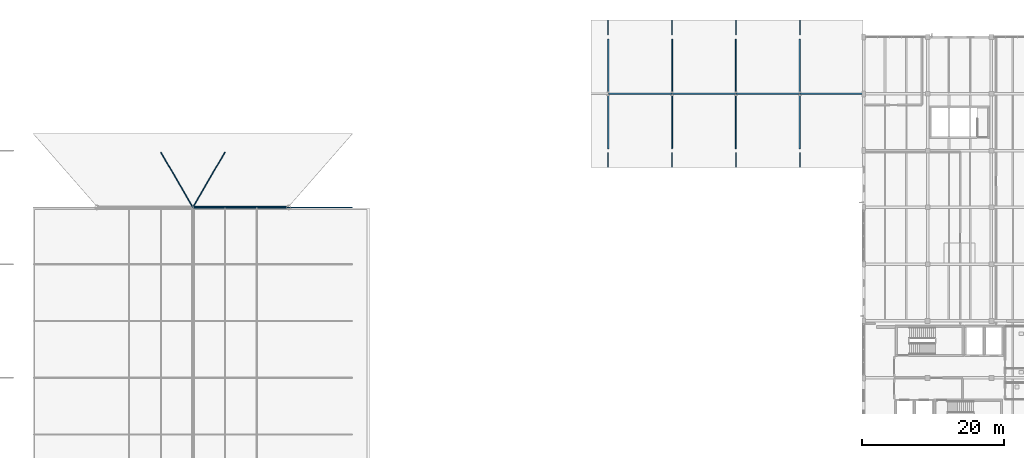
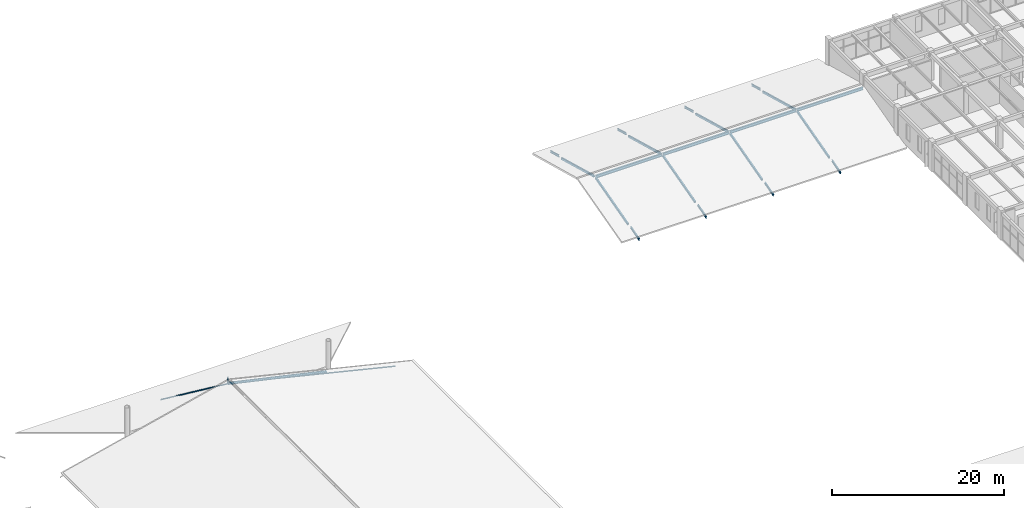
# One storey, part 13 of 71: 12 beams, 12 members.
"""IFC4 building model written with IfcOpenShell, lengths in metres."""

from ifc_helpers import new_model, si_unit, derived_unit, direction, frame, origin, origin_2d, place, context, subcontext, project, spatial, hollow_rectangle, hollow_circle, i_section, extrude, material, material_profile, profile_set, type_object, element, save


model = new_model("IFC4")

# Units and contexts
model_context = context("Model", 3, precision=1e-05, world=origin(), true_north=direction((0.0, 1.0)))
body_context = subcontext(model_context, "Body", "Model", "MODEL_VIEW")
ifc_project = project(units=[si_unit("LENGTHUNIT", "METRE"), si_unit("AREAUNIT", "SQUARE_METRE"), si_unit("VOLUMEUNIT", "CUBIC_METRE"), si_unit("PLANEANGLEUNIT", "RADIAN"), si_unit("MASSUNIT", "GRAM", prefix="KILO"), derived_unit("THERMALTRANSMITTANCEUNIT", [(si_unit("MASSUNIT", "GRAM", prefix="KILO"), 1), (si_unit("TIMEUNIT", "SECOND"), -3), (si_unit("THERMODYNAMICTEMPERATUREUNIT", "KELVIN"), -1)])], contexts=[model_context])

# Site, building, storey
site_placement = place(None, origin())
site = spatial("IfcSite", under=ifc_project, at=site_placement, CompositionType="ELEMENT")
building_placement = place(site_placement, origin())
building = spatial("IfcBuilding", under=site, at=building_placement, Name="Zhenchuan Archway Interchange", CompositionType="ELEMENT")
storey_placement = place(building_placement, frame((0.0, 0.0, 18.60009765625)))
storey = spatial("IfcBuildingStorey", under=building, at=storey_placement, Name="L04", CompositionType="ELEMENT", Elevation=18.60009765625)

# Beams
ifc_material_1 = material(Name="Steel Q355", Category="steel")
ifc_material_profile_1 = material_profile(ifc_material_1, i_section(OverallWidth=0.14990234375, OverallDepth=0.300048828125, WebThickness=0.006591796875, FlangeThickness=0.009033203125, FilletRadius=0.012939453125, at=origin_2d()), Name="HN 300x150")
ifc_profile_set_1 = profile_set([ifc_material_profile_1], Name="Steel Q355")
beam_type_1 = type_object("IfcBeamType", Name="BM_STL_EAVE_HN300", PredefinedType="BEAM", material=ifc_profile_set_1)
for number, where, z_axis, x_axis, name in (
    (1, (108.0, 87.699951171875, -0.2001953125), (0.0, -0.962251356687, -0.272162316557), (1.0, 0.0, 0.0), "Courtyard N-arm storm-eave bracket X108-S"),
    (2, (108.0, 104.300048828125, -0.2001953125), (0.0, 0.962251356687, -0.272162316557), (-1.0, 0.0, 0.0), "Courtyard N-arm storm-eave bracket X108-N"),
    (3, (117.0, 87.699951171875, -0.2001953125), (0.0, -0.962251356687, -0.272162316557), (1.0, 0.0, 0.0), "Courtyard N-arm storm-eave bracket X117-S"),
    (4, (117.0, 104.300048828125, -0.2001953125), (0.0, 0.962251356687, -0.272162316557), (-1.0, 0.0, 0.0), "Courtyard N-arm storm-eave bracket X117-N"),
    (5, (126.0, 87.699951171875, -0.2001953125), (0.0, -0.962251356687, -0.272162316557), (1.0, 0.0, 0.0), "Courtyard N-arm storm-eave bracket X126-S"),
    (6, (126.0, 104.300048828125, -0.2001953125), (0.0, 0.962251356687, -0.272162316557), (-1.0, 0.0, 0.0), "Courtyard N-arm storm-eave bracket X126-N"),
    (7, (135.0, 87.699951171875, -0.2001953125), (0.0, -0.962251356687, -0.272162316557), (1.0, 0.0, 0.0), "Courtyard N-arm storm-eave bracket X135-S"),
    (8, (135.0, 104.300048828125, -0.2001953125), (0.0, 0.962251356687, -0.272162316557), (-1.0, 0.0, 0.0), "Courtyard N-arm storm-eave bracket X135-N"),
):
    element("IfcBeam", number, at=place(storey_placement, frame(where, z_axis=z_axis, x_axis=x_axis)), inside=storey, type_object=beam_type_1, Name=name, PredefinedType="BEAM", context=body_context, shape_type="SweptSolid", body=[
        extrude(i_section(OverallWidth=0.14990234375, OverallDepth=0.300048828125, WebThickness=0.006591796875, FlangeThickness=0.009033203125, FilletRadius=0.012939453125, at=origin_2d()), origin(), (0.0, 0.0, 1.0), 2.13037109375),
    ])
ifc_material_profile_2 = material_profile(ifc_material_1, i_section(OverallWidth=0.199951171875, OverallDepth=0.39990234375, WebThickness=0.008056640625, FlangeThickness=0.012939453125, FilletRadius=0.01611328125, at=origin_2d()), Name="HN 400x200")
ifc_profile_set_2 = profile_set([ifc_material_profile_2], Name="Steel Q355")
beam_type_2 = type_object("IfcBeamType", Name="BM_STL_GABLE_HN400", PredefinedType="BEAM", material=ifc_profile_set_2)
for number, where, z_axis, x_axis, name in (
    (9, (108.0400390625, 96.0, 1.8798828125), (1.0, 0.0, 0.0), (0.0, 1.0, 0.0), "Courtyard N-arm ridge beam 1"),
    (10, (117.0400390625, 96.0, 1.8798828125), (1.0, 0.0, 0.0), (0.0, 1.0, 0.0), "Courtyard N-arm ridge beam 2"),
    (11, (126.0400390625, 96.0, 1.8798828125), (1.0, 0.0, 0.0), (0.0, 1.0, 0.0), "Courtyard N-arm ridge beam 3"),
    (12, (135.0400390625, 96.0, 1.8798828125), (1.0, 0.0, 0.0), (0.0, 1.0, 0.0), "Courtyard N-arm ridge beam 4"),
):
    element("IfcBeam", number, at=place(storey_placement, frame(where, z_axis=z_axis, x_axis=x_axis)), inside=storey, type_object=beam_type_2, Name=name, PredefinedType="BEAM", context=body_context, shape_type="SweptSolid", body=[
        extrude(i_section(OverallWidth=0.199951171875, OverallDepth=0.39990234375, WebThickness=0.008056640625, FlangeThickness=0.012939453125, FilletRadius=0.01611328125, at=origin_2d()), origin(), (0.0, 0.0, 1.0), 8.919921875),
    ])

# Members
ifc_material_2 = material(Name="Steel Q390", Category="steel")
ifc_material_profile_3 = material_profile(ifc_material_2, hollow_circle(Radius=0.056884765625, WallThickness=0.006103515625, at=origin_2d()), Name="CHS 114x6")
ifc_profile_set_3 = profile_set([ifc_material_profile_3], Name="Steel Q390")
member_type_1 = type_object("IfcMemberType", Name="MB_CBL_CHS114", PredefinedType="USERDEFINED", material=ifc_profile_set_3)
member_1_placement = place(storey_placement, frame((49.550048828125, 80.0, 2.75), z_axis=(0.972148755208, 0.0, -0.234364668299), x_axis=(0.0, 1.0, 0.0)))
element("IfcMember", 13, at=member_1_placement, inside=storey, type_object=member_type_1, Name="CONCOURSE ROOF CABLE east radial strand 7", ObjectType="CABLE", PredefinedType="USERDEFINED", context=body_context, shape_type="SweptSolid", body=[
    extrude(hollow_circle(Radius=0.056884765625, WallThickness=0.006103515625, at=origin_2d()), origin(), (0.0, 0.0, 1.0), 23.041748046875),
])
for number, where, z_axis, x_axis, name in (
    (14, (49.5, 80.0, 2.719970703125), (-0.430724259958, 0.74180289215, -0.514008833661), (-0.86478894661, -0.502135517387, 0.0), "CONCOURSE ROOF CABLE hip anchor strand NM1"),
    (15, (49.5, 80.0, 2.719970703125), (0.430724259958, 0.74180289215, -0.514008833661), (-0.86478894661, 0.502135517387, 0.0), "CONCOURSE ROOF CABLE hip anchor strand NM2"),
):
    element("IfcMember", number, at=place(storey_placement, frame(where, z_axis=z_axis, x_axis=x_axis)), inside=storey, type_object=member_type_1, Name=name, ObjectType="CABLE", PredefinedType="USERDEFINED", context=body_context, shape_type="SweptSolid", body=[
        extrude(hollow_circle(Radius=0.056884765625, WallThickness=0.006103515625, at=origin_2d()), origin(), (0.0, 0.0, 1.0), 10.447509765625),
    ])
ifc_material_profile_4 = material_profile(ifc_material_1, hollow_circle(Radius=0.177978515625, WallThickness=0.011962890625, at=origin_2d()), Name="CHS 356x12")
ifc_profile_set_4 = profile_set([ifc_material_profile_4], Name="Steel Q355")
member_type_2 = type_object("IfcMemberType", Name="MB_CHS356", PredefinedType="CHORD", material=ifc_profile_set_4)
member_2_placement = place(storey_placement, frame((49.550048828125, 80.0, 2.75), z_axis=(0.975991093765, 0.0, -0.217810433384), x_axis=(0.0, 1.0, 0.0)))
element("IfcMember", 16, at=member_2_placement, inside=storey, type_object=member_type_2, Name="CONCOURSE CABLE-NET RING BEAM transverse rafter NE", PredefinedType="CHORD", context=body_context, shape_type="SweptSolid", body=[
    extrude(hollow_circle(Radius=0.177978515625, WallThickness=0.011962890625, at=origin_2d()), origin(), (0.0, 0.0, 1.0), 13.452880859375),
])
ifc_material_profile_5 = material_profile(ifc_material_1, hollow_rectangle(XDim=0.199951171875, YDim=0.300048828125, WallThickness=0.010009765625, InnerFilletRadius=0.010009765625, OuterFilletRadius=0.02001953125, at=origin_2d()), Name="RHS 300x200x10")
ifc_profile_set_5 = profile_set([ifc_material_profile_5], Name="Steel Q355")
member_type_3 = type_object("IfcMemberType", Name="MB_RHS300", PredefinedType="CHORD", material=ifc_profile_set_5)
for number, where, z_axis, x_axis, name in (
    (17, (108.0, 88.300048828125, -0.18017578125), (0.0, 0.964762367881, 0.263122734709), (-1.0, 0.0, 0.0), "Courtyard N-arm rafter X108-1"),
    (18, (108.0, 96.219970703125, 1.85986328125), (0.0, 0.964762367881, -0.263122734709), (-1.0, 0.0, 0.0), "Courtyard N-arm rafter X108-2"),
    (19, (117.0, 88.300048828125, -0.18017578125), (0.0, 0.964762367881, 0.263122734709), (-1.0, 0.0, 0.0), "Courtyard N-arm rafter X117-1"),
    (20, (117.0, 96.219970703125, 1.85986328125), (0.0, 0.964762367881, -0.263122734709), (-1.0, 0.0, 0.0), "Courtyard N-arm rafter X117-2"),
    (21, (126.0, 88.300048828125, -0.18017578125), (0.0, 0.964762367881, 0.263122734709), (-1.0, 0.0, 0.0), "Courtyard N-arm rafter X126-1"),
    (22, (126.0, 96.219970703125, 1.85986328125), (0.0, 0.964762367881, -0.263122734709), (-1.0, 0.0, 0.0), "Courtyard N-arm rafter X126-2"),
    (23, (135.0, 88.300048828125, -0.18017578125), (0.0, 0.964762367881, 0.263122734709), (-1.0, 0.0, 0.0), "Courtyard N-arm rafter X135-1"),
    (24, (135.0, 96.219970703125, 1.85986328125), (0.0, 0.964762367881, -0.263122734709), (-1.0, 0.0, 0.0), "Courtyard N-arm rafter X135-2"),
):
    element("IfcMember", number, at=place(storey_placement, frame(where, z_axis=z_axis, x_axis=x_axis)), inside=storey, type_object=member_type_3, Name=name, PredefinedType="CHORD", context=body_context, shape_type="SweptSolid", body=[
        extrude(hollow_rectangle(XDim=0.199951171875, YDim=0.300048828125, WallThickness=0.010009765625, InnerFilletRadius=0.010009765625, OuterFilletRadius=0.02001953125, at=origin_2d()), origin(), (0.0, 0.0, 1.0), 7.753173828125),
    ])

save(model, "model.ifc")
